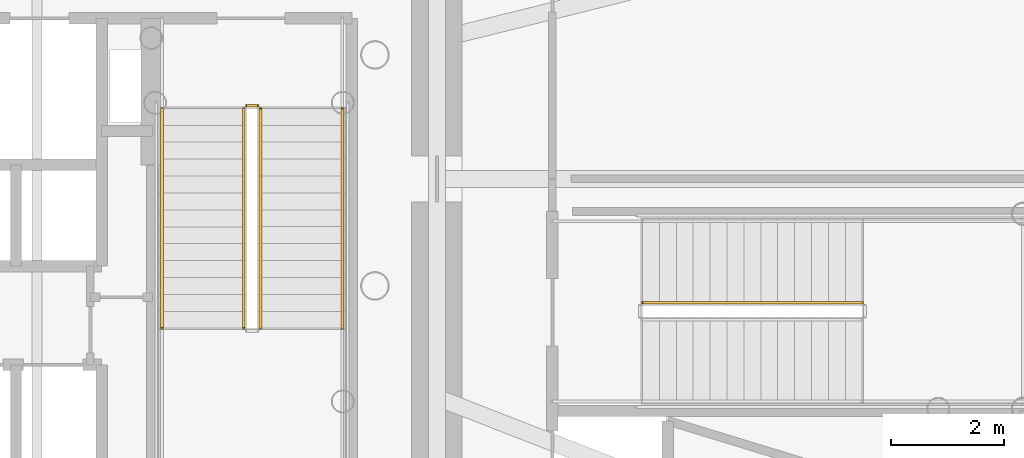
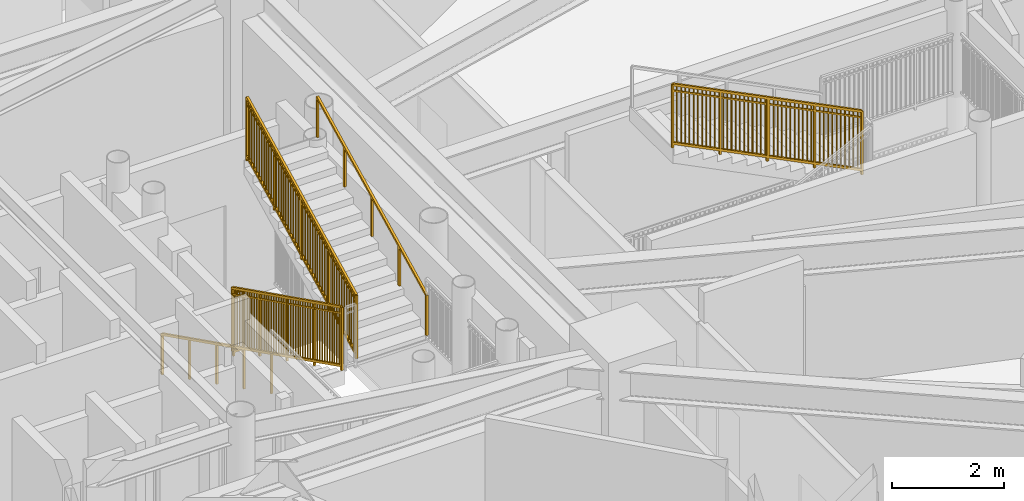
# One storey, part 26 of 29: 6 railings.
"""IFC4 building model written with IfcOpenShell, lengths in metres."""

from ifc_helpers import new_model, si_unit, direction, frame, origin, origin_2d, place, context, subcontext, project, spatial, rectangle, extrude, source, transform, mapped, material, type_object, element, save


model = new_model("IFC4")

# Units and contexts
model_context = context("Model", 3, precision=1e-05, world=origin(), true_north=direction((0.0, 1.0)))
body_context = subcontext(model_context, "Body", "Model", "MODEL_VIEW")
ifc_project = project(units=[si_unit("LENGTHUNIT", "METRE"), si_unit("AREAUNIT", "SQUARE_METRE"), si_unit("VOLUMEUNIT", "CUBIC_METRE"), si_unit("PLANEANGLEUNIT", "RADIAN"), si_unit("MASSUNIT", "GRAM", prefix="KILO")], contexts=[model_context])

# Site, building, storey
site_placement = place(None, origin())
site = spatial("IfcSite", under=ifc_project, at=site_placement, CompositionType="ELEMENT")
building_placement = place(site_placement, origin())
building = spatial("IfcBuilding", under=site, at=building_placement, Name="Linh Dai School and Residence Tower", CompositionType="ELEMENT")
storey_placement = place(building_placement, frame((0.0, 0.0, 45.0)))
storey = spatial("IfcBuildingStorey", under=building, at=storey_placement, Name="L10", CompositionType="ELEMENT", Elevation=45.0)

# Railings
ifc_material_1 = material(Name="Structural Steel S355JR", Category="steel")
railing_type_1 = type_object("IfcRailingType", Name="RL-ST-GUARD-1400", PredefinedType="GUARDRAIL", material=ifc_material_1)
shared_shape_1 = source(origin(), body_context, "Body", "SweptSolid", [
    extrude(rectangle(XDim=0.048095703125, YDim=0.048095703125, at=origin_2d()), frame((0.0, 0.0, 1.3759765625), z_axis=(1.0, 0.0, 0.0), x_axis=(0.0, 1.0, 0.0)), (0.0, 0.0, 1.0), 0.199951171875),
    extrude(rectangle(XDim=0.048095703125, YDim=0.048095703125, at=origin_2d()), frame((0.0, 0.0, 0.10009765625), z_axis=(1.0, 0.0, 0.0), x_axis=(0.0, 1.0, 0.0)), (0.0, 0.0, 1.0), 0.199951171875),
    extrude(rectangle(XDim=0.030029296875, YDim=0.030029296875, at=origin_2d()), frame((0.0, 0.0, 1.239990234375), z_axis=(1.0, 0.0, 0.0), x_axis=(0.0, 1.0, 0.0)), (0.0, 0.0, 1.0), 0.199951171875),
    extrude(rectangle(XDim=0.0419921875, YDim=0.0419921875, at=origin_2d()), origin(), (0.0, 0.0, 1.0), 1.3759765625),
    extrude(rectangle(XDim=0.0419921875, YDim=0.0419921875, at=origin_2d()), frame((0.199951171875, 0.0, 0.0)), (0.0, 0.0, 1.0), 1.3759765625),
])
railing_1_placement = place(storey_placement, frame((42.570068359375, 28.300048828125, 0.0)))
element("IfcRailing", 1, at=railing_1_placement, inside=storey, type_object=railing_type_1, Name="L10 ST2 stair guard 7", PredefinedType="GUARDRAIL", context=body_context, shape_type="MappedRepresentation", body=[
    mapped(shared_shape_1, transform((0.0, 0.0, 0.0), x_axis=(1.0, 0.0, 0.0), y_axis=(0.0, 1.0, 0.0), z_axis=(0.0, 0.0, 1.0), scale=1.0)),
])
shared_shape_2 = source(origin(), body_context, "Body", "SweptSolid", [
    extrude(rectangle(XDim=0.048095703125, YDim=0.048095703125, at=origin_2d()), frame((0.0, 0.0, 1.3759765625), z_axis=(0.0, -0.894404793364, 0.447258387967), x_axis=(1.0, 0.0, 0.0)), (0.0, 0.0, 1.0), 4.3603515625),
    extrude(rectangle(XDim=0.048095703125, YDim=0.048095703125, at=origin_2d()), frame((0.0, 0.0, 0.10009765625), z_axis=(0.0, -0.894404793364, 0.447258387967), x_axis=(1.0, 0.0, 0.0)), (0.0, 0.0, 1.0), 4.3603515625),
    extrude(rectangle(XDim=0.030029296875, YDim=0.030029296875, at=origin_2d()), frame((0.0, 0.0, 1.239990234375), z_axis=(0.0, -0.894404793364, 0.447258387967), x_axis=(1.0, 0.0, 0.0)), (0.0, 0.0, 1.0), 4.3603515625),
    extrude(rectangle(XDim=0.02001953125, YDim=0.02001953125, at=origin_2d()), frame((0.0, -0.086669921875, 0.1435546875)), (0.0, 0.0, 1.0), 1.251708984375),
    extrude(rectangle(XDim=0.02001953125, YDim=0.02001953125, at=origin_2d()), frame((0.0, -0.17333984375, 0.186767578125)), (0.0, 0.0, 1.0), 1.251708984375),
    extrude(rectangle(XDim=0.02001953125, YDim=0.02001953125, at=origin_2d()), frame((0.0, -0.260009765625, 0.230224609375)), (0.0, 0.0, 1.0), 1.251708984375),
    extrude(rectangle(XDim=0.02001953125, YDim=0.02001953125, at=origin_2d()), frame((0.0, -0.3466796875, 0.2734375)), (0.0, 0.0, 1.0), 1.251708984375),
    extrude(rectangle(XDim=0.02001953125, YDim=0.02001953125, at=origin_2d()), frame((0.0, -0.433349609375, 0.31689453125)), (0.0, 0.0, 1.0), 1.251708984375),
    extrude(rectangle(XDim=0.02001953125, YDim=0.02001953125, at=origin_2d()), frame((0.0, -0.52001953125, 0.360107421875)), (0.0, 0.0, 1.0), 1.251708984375),
    extrude(rectangle(XDim=0.02001953125, YDim=0.02001953125, at=origin_2d()), frame((0.0, -0.606689453125, 0.403564453125)), (0.0, 0.0, 1.0), 1.251708984375),
    extrude(rectangle(XDim=0.02001953125, YDim=0.02001953125, at=origin_2d()), frame((0.0, -0.693359375, 0.44677734375)), (0.0, 0.0, 1.0), 1.251708984375),
    extrude(rectangle(XDim=0.02001953125, YDim=0.02001953125, at=origin_2d()), frame((0.0, -0.780029296875, 0.490234375)), (0.0, 0.0, 1.0), 1.251708984375),
    extrude(rectangle(XDim=0.02001953125, YDim=0.02001953125, at=origin_2d()), frame((0.0, -0.86669921875, 0.533447265625)), (0.0, 0.0, 1.0), 1.251708984375),
    extrude(rectangle(XDim=0.02001953125, YDim=0.02001953125, at=origin_2d()), frame((0.0, -1.0400390625, 0.6201171875)), (0.0, 0.0, 1.0), 1.251708984375),
    extrude(rectangle(XDim=0.02001953125, YDim=0.02001953125, at=origin_2d()), frame((0.0, -1.126708984375, 0.66357421875)), (0.0, 0.0, 1.0), 1.251708984375),
    extrude(rectangle(XDim=0.02001953125, YDim=0.02001953125, at=origin_2d()), frame((0.0, -1.21337890625, 0.706787109375)), (0.0, 0.0, 1.0), 1.251708984375),
    extrude(rectangle(XDim=0.02001953125, YDim=0.02001953125, at=origin_2d()), frame((0.0, -1.300048828125, 0.750244140625)), (0.0, 0.0, 1.0), 1.251708984375),
    extrude(rectangle(XDim=0.02001953125, YDim=0.02001953125, at=origin_2d()), frame((0.0, -1.38671875, 0.79345703125)), (0.0, 0.0, 1.0), 1.251708984375),
    extrude(rectangle(XDim=0.02001953125, YDim=0.02001953125, at=origin_2d()), frame((0.0, -1.473388671875, 0.8369140625)), (0.0, 0.0, 1.0), 1.251708984375),
    extrude(rectangle(XDim=0.02001953125, YDim=0.02001953125, at=origin_2d()), frame((0.0, -1.56005859375, 0.880126953125)), (0.0, 0.0, 1.0), 1.251708984375),
    extrude(rectangle(XDim=0.02001953125, YDim=0.02001953125, at=origin_2d()), frame((0.0, -1.646728515625, 0.923583984375)), (0.0, 0.0, 1.0), 1.251708984375),
    extrude(rectangle(XDim=0.02001953125, YDim=0.02001953125, at=origin_2d()), frame((0.0, -1.7333984375, 0.966796875)), (0.0, 0.0, 1.0), 1.251708984375),
    extrude(rectangle(XDim=0.02001953125, YDim=0.02001953125, at=origin_2d()), frame((0.0, -1.820068359375, 1.01025390625)), (0.0, 0.0, 1.0), 1.251708984375),
    extrude(rectangle(XDim=0.02001953125, YDim=0.02001953125, at=origin_2d()), frame((0.0, -1.90673828125, 1.053466796875)), (0.0, 0.0, 1.0), 1.251708984375),
    extrude(rectangle(XDim=0.02001953125, YDim=0.02001953125, at=origin_2d()), frame((0.0, -1.9931640625, 1.096923828125)), (0.0, 0.0, 1.0), 1.251708984375),
    extrude(rectangle(XDim=0.02001953125, YDim=0.02001953125, at=origin_2d()), frame((0.0, -2.079833984375, 1.14013671875)), (0.0, 0.0, 1.0), 1.251708984375),
    extrude(rectangle(XDim=0.02001953125, YDim=0.02001953125, at=origin_2d()), frame((0.0, -2.16650390625, 1.18359375)), (0.0, 0.0, 1.0), 1.251708984375),
    extrude(rectangle(XDim=0.02001953125, YDim=0.02001953125, at=origin_2d()), frame((0.0, -2.253173828125, 1.226806640625)), (0.0, 0.0, 1.0), 1.251708984375),
    extrude(rectangle(XDim=0.02001953125, YDim=0.02001953125, at=origin_2d()), frame((0.0, -2.33984375, 1.270263671875)), (0.0, 0.0, 1.0), 1.251708984375),
    extrude(rectangle(XDim=0.02001953125, YDim=0.02001953125, at=origin_2d()), frame((0.0, -2.426513671875, 1.3134765625)), (0.0, 0.0, 1.0), 1.251708984375),
    extrude(rectangle(XDim=0.02001953125, YDim=0.02001953125, at=origin_2d()), frame((0.0, -2.51318359375, 1.35693359375)), (0.0, 0.0, 1.0), 1.251708984375),
    extrude(rectangle(XDim=0.02001953125, YDim=0.02001953125, at=origin_2d()), frame((0.0, -2.599853515625, 1.400146484375)), (0.0, 0.0, 1.0), 1.251708984375),
    extrude(rectangle(XDim=0.02001953125, YDim=0.02001953125, at=origin_2d()), frame((0.0, -2.6865234375, 1.443603515625)), (0.0, 0.0, 1.0), 1.251708984375),
    extrude(rectangle(XDim=0.02001953125, YDim=0.02001953125, at=origin_2d()), frame((0.0, -2.773193359375, 1.48681640625)), (0.0, 0.0, 1.0), 1.251708984375),
    extrude(rectangle(XDim=0.02001953125, YDim=0.02001953125, at=origin_2d()), frame((0.0, -2.85986328125, 1.5302734375)), (0.0, 0.0, 1.0), 1.251708984375),
    extrude(rectangle(XDim=0.02001953125, YDim=0.02001953125, at=origin_2d()), frame((0.0, -3.033203125, 1.616943359375)), (0.0, 0.0, 1.0), 1.251708984375),
    extrude(rectangle(XDim=0.02001953125, YDim=0.02001953125, at=origin_2d()), frame((0.0, -3.119873046875, 1.66015625)), (0.0, 0.0, 1.0), 1.251708984375),
    extrude(rectangle(XDim=0.02001953125, YDim=0.02001953125, at=origin_2d()), frame((0.0, -3.20654296875, 1.70361328125)), (0.0, 0.0, 1.0), 1.251708984375),
    extrude(rectangle(XDim=0.02001953125, YDim=0.02001953125, at=origin_2d()), frame((0.0, -3.293212890625, 1.746826171875)), (0.0, 0.0, 1.0), 1.251708984375),
    extrude(rectangle(XDim=0.02001953125, YDim=0.02001953125, at=origin_2d()), frame((0.0, -3.3798828125, 1.790283203125)), (0.0, 0.0, 1.0), 1.251708984375),
    extrude(rectangle(XDim=0.02001953125, YDim=0.02001953125, at=origin_2d()), frame((0.0, -3.466552734375, 1.83349609375)), (0.0, 0.0, 1.0), 1.251708984375),
    extrude(rectangle(XDim=0.02001953125, YDim=0.02001953125, at=origin_2d()), frame((0.0, -3.55322265625, 1.876953125)), (0.0, 0.0, 1.0), 1.251708984375),
    extrude(rectangle(XDim=0.02001953125, YDim=0.02001953125, at=origin_2d()), frame((0.0, -3.639892578125, 1.920166015625)), (0.0, 0.0, 1.0), 1.251708984375),
    extrude(rectangle(XDim=0.02001953125, YDim=0.02001953125, at=origin_2d()), frame((0.0, -3.7265625, 1.963623046875)), (0.0, 0.0, 1.0), 1.251708984375),
    extrude(rectangle(XDim=0.02001953125, YDim=0.02001953125, at=origin_2d()), frame((0.0, -3.813232421875, 2.0068359375)), (0.0, 0.0, 1.0), 1.251708984375),
    extrude(rectangle(XDim=0.0419921875, YDim=0.0419921875, at=origin_2d()), origin(), (0.0, 0.0, 1.0), 1.3759765625),
    extrude(rectangle(XDim=0.0419921875, YDim=0.0419921875, at=origin_2d()), frame((0.0, -0.97509765625, 0.487548828125)), (0.0, 0.0, 1.0), 1.3759765625),
    extrude(rectangle(XDim=0.0419921875, YDim=0.0419921875, at=origin_2d()), frame((0.0, -1.949951171875, 0.97509765625)), (0.0, 0.0, 1.0), 1.3759765625),
    extrude(rectangle(XDim=0.0419921875, YDim=0.0419921875, at=origin_2d()), frame((0.0, -2.9248046875, 1.462646484375)), (0.0, 0.0, 1.0), 1.3759765625),
    extrude(rectangle(XDim=0.0419921875, YDim=0.0419921875, at=origin_2d()), frame((0.0, -3.89990234375, 1.9501953125)), (0.0, 0.0, 1.0), 1.3759765625),
])
railing_2_placement = place(storey_placement, frame((42.52001953125, 28.25, 0.14990234375)))
element("IfcRailing", 2, at=railing_2_placement, inside=storey, type_object=railing_type_1, Name="L10 ST2 stair guard 1", PredefinedType="GUARDRAIL", context=body_context, shape_type="MappedRepresentation", body=[
    mapped(shared_shape_2, transform((0.0, 0.0, 0.0), x_axis=(1.0, 0.0, 0.0), y_axis=(0.0, 1.0, 0.0), z_axis=(0.0, 0.0, 1.0), scale=1.0)),
])
shared_shape_3 = source(origin(), body_context, "Body", "SweptSolid", [
    extrude(rectangle(XDim=0.048095703125, YDim=0.048095703125, at=origin_2d()), frame((0.0, 0.0, 1.3759765625), z_axis=(0.0, 0.894427191, 0.4472135955), x_axis=(-1.0, 0.0, 0.0)), (0.0, 0.0, 1.0), 4.360107421875),
    extrude(rectangle(XDim=0.048095703125, YDim=0.048095703125, at=origin_2d()), frame((0.0, 0.0, 0.10009765625), z_axis=(0.0, 0.894427191, 0.4472135955), x_axis=(-1.0, 0.0, 0.0)), (0.0, 0.0, 1.0), 4.360107421875),
    extrude(rectangle(XDim=0.030029296875, YDim=0.030029296875, at=origin_2d()), frame((0.0, 0.0, 1.239990234375), z_axis=(0.0, 0.894427191, 0.4472135955), x_axis=(-1.0, 0.0, 0.0)), (0.0, 0.0, 1.0), 4.360107421875),
    extrude(rectangle(XDim=0.02001953125, YDim=0.02001953125, at=origin_2d()), frame((0.0, 0.086669921875, 0.143310546875)), (0.0, 0.0, 1.0), 1.251708984375),
    extrude(rectangle(XDim=0.02001953125, YDim=0.02001953125, at=origin_2d()), frame((0.0, 0.17333984375, 0.186767578125)), (0.0, 0.0, 1.0), 1.251708984375),
    extrude(rectangle(XDim=0.02001953125, YDim=0.02001953125, at=origin_2d()), frame((0.0, 0.260009765625, 0.22998046875)), (0.0, 0.0, 1.0), 1.251708984375),
    extrude(rectangle(XDim=0.02001953125, YDim=0.02001953125, at=origin_2d()), frame((0.0, 0.3466796875, 0.2734375)), (0.0, 0.0, 1.0), 1.251708984375),
    extrude(rectangle(XDim=0.02001953125, YDim=0.02001953125, at=origin_2d()), frame((0.0, 0.433349609375, 0.316650390625)), (0.0, 0.0, 1.0), 1.251708984375),
    extrude(rectangle(XDim=0.02001953125, YDim=0.02001953125, at=origin_2d()), frame((0.0, 0.52001953125, 0.360107421875)), (0.0, 0.0, 1.0), 1.251708984375),
    extrude(rectangle(XDim=0.02001953125, YDim=0.02001953125, at=origin_2d()), frame((0.0, 0.606689453125, 0.4033203125)), (0.0, 0.0, 1.0), 1.251708984375),
    extrude(rectangle(XDim=0.02001953125, YDim=0.02001953125, at=origin_2d()), frame((0.0, 0.693359375, 0.44677734375)), (0.0, 0.0, 1.0), 1.251708984375),
    extrude(rectangle(XDim=0.02001953125, YDim=0.02001953125, at=origin_2d()), frame((0.0, 0.780029296875, 0.489990234375)), (0.0, 0.0, 1.0), 1.251708984375),
    extrude(rectangle(XDim=0.02001953125, YDim=0.02001953125, at=origin_2d()), frame((0.0, 0.86669921875, 0.533447265625)), (0.0, 0.0, 1.0), 1.251708984375),
    extrude(rectangle(XDim=0.02001953125, YDim=0.02001953125, at=origin_2d()), frame((0.0, 1.0400390625, 0.6201171875)), (0.0, 0.0, 1.0), 1.251708984375),
    extrude(rectangle(XDim=0.02001953125, YDim=0.02001953125, at=origin_2d()), frame((0.0, 1.126708984375, 0.663330078125)), (0.0, 0.0, 1.0), 1.251708984375),
    extrude(rectangle(XDim=0.02001953125, YDim=0.02001953125, at=origin_2d()), frame((0.0, 1.21337890625, 0.706787109375)), (0.0, 0.0, 1.0), 1.251708984375),
    extrude(rectangle(XDim=0.02001953125, YDim=0.02001953125, at=origin_2d()), frame((0.0, 1.300048828125, 0.75)), (0.0, 0.0, 1.0), 1.251708984375),
    extrude(rectangle(XDim=0.02001953125, YDim=0.02001953125, at=origin_2d()), frame((0.0, 1.38671875, 0.79345703125)), (0.0, 0.0, 1.0), 1.251708984375),
    extrude(rectangle(XDim=0.02001953125, YDim=0.02001953125, at=origin_2d()), frame((0.0, 1.473388671875, 0.836669921875)), (0.0, 0.0, 1.0), 1.251708984375),
    extrude(rectangle(XDim=0.02001953125, YDim=0.02001953125, at=origin_2d()), frame((0.0, 1.56005859375, 0.880126953125)), (0.0, 0.0, 1.0), 1.251708984375),
    extrude(rectangle(XDim=0.02001953125, YDim=0.02001953125, at=origin_2d()), frame((0.0, 1.646728515625, 0.92333984375)), (0.0, 0.0, 1.0), 1.251708984375),
    extrude(rectangle(XDim=0.02001953125, YDim=0.02001953125, at=origin_2d()), frame((0.0, 1.7333984375, 0.966796875)), (0.0, 0.0, 1.0), 1.251708984375),
    extrude(rectangle(XDim=0.02001953125, YDim=0.02001953125, at=origin_2d()), frame((0.0, 1.820068359375, 1.010009765625)), (0.0, 0.0, 1.0), 1.251708984375),
    extrude(rectangle(XDim=0.02001953125, YDim=0.02001953125, at=origin_2d()), frame((0.0, 1.90673828125, 1.053466796875)), (0.0, 0.0, 1.0), 1.251708984375),
    extrude(rectangle(XDim=0.02001953125, YDim=0.02001953125, at=origin_2d()), frame((0.0, 1.9931640625, 1.0966796875)), (0.0, 0.0, 1.0), 1.251708984375),
    extrude(rectangle(XDim=0.02001953125, YDim=0.02001953125, at=origin_2d()), frame((0.0, 2.079833984375, 1.14013671875)), (0.0, 0.0, 1.0), 1.251708984375),
    extrude(rectangle(XDim=0.02001953125, YDim=0.02001953125, at=origin_2d()), frame((0.0, 2.16650390625, 1.183349609375)), (0.0, 0.0, 1.0), 1.251708984375),
    extrude(rectangle(XDim=0.02001953125, YDim=0.02001953125, at=origin_2d()), frame((0.0, 2.253173828125, 1.226806640625)), (0.0, 0.0, 1.0), 1.251708984375),
    extrude(rectangle(XDim=0.02001953125, YDim=0.02001953125, at=origin_2d()), frame((0.0, 2.33984375, 1.27001953125)), (0.0, 0.0, 1.0), 1.251708984375),
    extrude(rectangle(XDim=0.02001953125, YDim=0.02001953125, at=origin_2d()), frame((0.0, 2.426513671875, 1.3134765625)), (0.0, 0.0, 1.0), 1.251708984375),
    extrude(rectangle(XDim=0.02001953125, YDim=0.02001953125, at=origin_2d()), frame((0.0, 2.51318359375, 1.356689453125)), (0.0, 0.0, 1.0), 1.251708984375),
    extrude(rectangle(XDim=0.02001953125, YDim=0.02001953125, at=origin_2d()), frame((0.0, 2.599853515625, 1.400146484375)), (0.0, 0.0, 1.0), 1.251708984375),
    extrude(rectangle(XDim=0.02001953125, YDim=0.02001953125, at=origin_2d()), frame((0.0, 2.6865234375, 1.443359375)), (0.0, 0.0, 1.0), 1.251708984375),
    extrude(rectangle(XDim=0.02001953125, YDim=0.02001953125, at=origin_2d()), frame((0.0, 2.773193359375, 1.48681640625)), (0.0, 0.0, 1.0), 1.251708984375),
    extrude(rectangle(XDim=0.02001953125, YDim=0.02001953125, at=origin_2d()), frame((0.0, 2.85986328125, 1.530029296875)), (0.0, 0.0, 1.0), 1.251708984375),
    extrude(rectangle(XDim=0.02001953125, YDim=0.02001953125, at=origin_2d()), frame((0.0, 3.033203125, 1.61669921875)), (0.0, 0.0, 1.0), 1.251708984375),
    extrude(rectangle(XDim=0.02001953125, YDim=0.02001953125, at=origin_2d()), frame((0.0, 3.119873046875, 1.66015625)), (0.0, 0.0, 1.0), 1.251708984375),
    extrude(rectangle(XDim=0.02001953125, YDim=0.02001953125, at=origin_2d()), frame((0.0, 3.20654296875, 1.703369140625)), (0.0, 0.0, 1.0), 1.251708984375),
    extrude(rectangle(XDim=0.02001953125, YDim=0.02001953125, at=origin_2d()), frame((0.0, 3.293212890625, 1.746826171875)), (0.0, 0.0, 1.0), 1.251708984375),
    extrude(rectangle(XDim=0.02001953125, YDim=0.02001953125, at=origin_2d()), frame((0.0, 3.3798828125, 1.7900390625)), (0.0, 0.0, 1.0), 1.251708984375),
    extrude(rectangle(XDim=0.02001953125, YDim=0.02001953125, at=origin_2d()), frame((0.0, 3.466552734375, 1.83349609375)), (0.0, 0.0, 1.0), 1.251708984375),
    extrude(rectangle(XDim=0.02001953125, YDim=0.02001953125, at=origin_2d()), frame((0.0, 3.55322265625, 1.876708984375)), (0.0, 0.0, 1.0), 1.251708984375),
    extrude(rectangle(XDim=0.02001953125, YDim=0.02001953125, at=origin_2d()), frame((0.0, 3.639892578125, 1.920166015625)), (0.0, 0.0, 1.0), 1.251708984375),
    extrude(rectangle(XDim=0.02001953125, YDim=0.02001953125, at=origin_2d()), frame((0.0, 3.7265625, 1.96337890625)), (0.0, 0.0, 1.0), 1.251708984375),
    extrude(rectangle(XDim=0.02001953125, YDim=0.02001953125, at=origin_2d()), frame((0.0, 3.813232421875, 2.0068359375)), (0.0, 0.0, 1.0), 1.251708984375),
    extrude(rectangle(XDim=0.0419921875, YDim=0.0419921875, at=origin_2d()), origin(), (0.0, 0.0, 1.0), 1.3759765625),
    extrude(rectangle(XDim=0.0419921875, YDim=0.0419921875, at=origin_2d()), frame((0.0, 0.97509765625, 0.487548828125)), (0.0, 0.0, 1.0), 1.3759765625),
    extrude(rectangle(XDim=0.0419921875, YDim=0.0419921875, at=origin_2d()), frame((0.0, 1.949951171875, 0.97509765625)), (0.0, 0.0, 1.0), 1.3759765625),
    extrude(rectangle(XDim=0.0419921875, YDim=0.0419921875, at=origin_2d()), frame((0.0, 2.9248046875, 1.46240234375)), (0.0, 0.0, 1.0), 1.3759765625),
    extrude(rectangle(XDim=0.0419921875, YDim=0.0419921875, at=origin_2d()), frame((0.0, 3.89990234375, 1.949951171875)), (0.0, 0.0, 1.0), 1.3759765625),
])
railing_3_placement = place(storey_placement, frame((42.820068359375, 24.35009765625, 2.25)))
element("IfcRailing", 3, at=railing_3_placement, inside=storey, type_object=railing_type_1, Name="L10 ST2 stair guard 6", PredefinedType="GUARDRAIL", context=body_context, shape_type="MappedRepresentation", body=[
    mapped(shared_shape_3, transform((0.0, 0.0, 0.0), x_axis=(1.0, 0.0, 0.0), y_axis=(0.0, 1.0, 0.0), z_axis=(0.0, 0.0, 1.0), scale=1.0)),
])
ifc_material_2 = material(Name="Brushed Stainless Steel Handrail", Category="steel")
railing_type_2 = type_object("IfcRailingType", Name="RL-ST-HANDRAIL-900", PredefinedType="HANDRAIL", material=ifc_material_2)
shared_shape_4 = source(origin(), body_context, "Body", "SweptSolid", [
    extrude(rectangle(XDim=0.048095703125, YDim=0.048095703125, at=origin_2d()), frame((0.0, 0.0, 0.8759765625), z_axis=(0.0, -0.894404793364, 0.447258387967), x_axis=(1.0, 0.0, 0.0)), (0.0, 0.0, 1.0), 4.3603515625),
    extrude(rectangle(XDim=0.0419921875, YDim=0.0419921875, at=origin_2d()), origin(), (0.0, 0.0, 1.0), 0.8759765625),
    extrude(rectangle(XDim=0.0419921875, YDim=0.0419921875, at=origin_2d()), frame((0.0, -0.97509765625, 0.487548828125)), (0.0, 0.0, 1.0), 0.8759765625),
    extrude(rectangle(XDim=0.0419921875, YDim=0.0419921875, at=origin_2d()), frame((0.0, -1.949951171875, 0.97509765625)), (0.0, 0.0, 1.0), 0.8759765625),
    extrude(rectangle(XDim=0.0419921875, YDim=0.0419921875, at=origin_2d()), frame((0.0, -2.9248046875, 1.462646484375)), (0.0, 0.0, 1.0), 0.8759765625),
    extrude(rectangle(XDim=0.0419921875, YDim=0.0419921875, at=origin_2d()), frame((0.0, -3.89990234375, 1.9501953125)), (0.0, 0.0, 1.0), 0.8759765625),
])
railing_4_placement = place(storey_placement, frame((41.070068359375, 28.25, 0.14990234375)))
element("IfcRailing", 4, at=railing_4_placement, inside=storey, type_object=railing_type_2, Name="L10 ST2 stair handrail 1", PredefinedType="HANDRAIL", context=body_context, shape_type="MappedRepresentation", body=[
    mapped(shared_shape_4, transform((0.0, 0.0, 0.0), x_axis=(1.0, 0.0, 0.0), y_axis=(0.0, 1.0, 0.0), z_axis=(0.0, 0.0, 1.0), scale=1.0)),
])
shared_shape_5 = source(origin(), body_context, "Body", "SweptSolid", [
    extrude(rectangle(XDim=0.048095703125, YDim=0.048095703125, at=origin_2d()), frame((0.0, 0.0, 0.8759765625), z_axis=(0.0, 0.894427191, 0.4472135955), x_axis=(-1.0, 0.0, 0.0)), (0.0, 0.0, 1.0), 4.360107421875),
    extrude(rectangle(XDim=0.0419921875, YDim=0.0419921875, at=origin_2d()), origin(), (0.0, 0.0, 1.0), 0.8759765625),
    extrude(rectangle(XDim=0.0419921875, YDim=0.0419921875, at=origin_2d()), frame((0.0, 0.97509765625, 0.487548828125)), (0.0, 0.0, 1.0), 0.8759765625),
    extrude(rectangle(XDim=0.0419921875, YDim=0.0419921875, at=origin_2d()), frame((0.0, 1.949951171875, 0.97509765625)), (0.0, 0.0, 1.0), 0.8759765625),
    extrude(rectangle(XDim=0.0419921875, YDim=0.0419921875, at=origin_2d()), frame((0.0, 2.9248046875, 1.46240234375)), (0.0, 0.0, 1.0), 0.8759765625),
    extrude(rectangle(XDim=0.0419921875, YDim=0.0419921875, at=origin_2d()), frame((0.0, 3.89990234375, 1.949951171875)), (0.0, 0.0, 1.0), 0.8759765625),
])
railing_5_placement = place(storey_placement, frame((44.27001953125, 24.35009765625, 2.25)))
element("IfcRailing", 5, at=railing_5_placement, inside=storey, type_object=railing_type_2, Name="L10 ST2 stair handrail 2", PredefinedType="HANDRAIL", context=body_context, shape_type="MappedRepresentation", body=[
    mapped(shared_shape_5, transform((0.0, 0.0, 0.0), x_axis=(1.0, 0.0, 0.0), y_axis=(0.0, 1.0, 0.0), z_axis=(0.0, 0.0, 1.0), scale=1.0)),
])
shared_shape_6 = source(origin(), body_context, "Body", "SweptSolid", [
    extrude(rectangle(XDim=0.048095703125, YDim=0.048095703125, at=origin_2d()), frame((0.0, 0.0, 1.3759765625), z_axis=(-0.894427191, 0.0, 0.4472135955), x_axis=(0.0, -1.0, 0.0)), (0.0, 0.0, 1.0), 4.360107421875),
    extrude(rectangle(XDim=0.048095703125, YDim=0.048095703125, at=origin_2d()), frame((0.0, 0.0, 0.10009765625), z_axis=(-0.894427191, 0.0, 0.4472135955), x_axis=(0.0, -1.0, 0.0)), (0.0, 0.0, 1.0), 4.360107421875),
    extrude(rectangle(XDim=0.030029296875, YDim=0.030029296875, at=origin_2d()), frame((0.0, 0.0, 1.239990234375), z_axis=(-0.894427191, 0.0, 0.4472135955), x_axis=(0.0, -1.0, 0.0)), (0.0, 0.0, 1.0), 4.360107421875),
    extrude(rectangle(XDim=0.02001953125, YDim=0.02001953125, at=origin_2d()), frame((-0.086669921875, 0.0, 0.143310546875)), (0.0, 0.0, 1.0), 1.251708984375),
    extrude(rectangle(XDim=0.02001953125, YDim=0.02001953125, at=origin_2d()), frame((-0.17333984375, 0.0, 0.186767578125)), (0.0, 0.0, 1.0), 1.251708984375),
    extrude(rectangle(XDim=0.02001953125, YDim=0.02001953125, at=origin_2d()), frame((-0.260009765625, 0.0, 0.22998046875)), (0.0, 0.0, 1.0), 1.251708984375),
    extrude(rectangle(XDim=0.02001953125, YDim=0.02001953125, at=origin_2d()), frame((-0.3466796875, 0.0, 0.2734375)), (0.0, 0.0, 1.0), 1.251708984375),
    extrude(rectangle(XDim=0.02001953125, YDim=0.02001953125, at=origin_2d()), frame((-0.433349609375, 0.0, 0.316650390625)), (0.0, 0.0, 1.0), 1.251708984375),
    extrude(rectangle(XDim=0.02001953125, YDim=0.02001953125, at=origin_2d()), frame((-0.52001953125, 0.0, 0.360107421875)), (0.0, 0.0, 1.0), 1.251708984375),
    extrude(rectangle(XDim=0.02001953125, YDim=0.02001953125, at=origin_2d()), frame((-0.606689453125, 0.0, 0.4033203125)), (0.0, 0.0, 1.0), 1.251708984375),
    extrude(rectangle(XDim=0.02001953125, YDim=0.02001953125, at=origin_2d()), frame((-0.693359375, 0.0, 0.44677734375)), (0.0, 0.0, 1.0), 1.251708984375),
    extrude(rectangle(XDim=0.02001953125, YDim=0.02001953125, at=origin_2d()), frame((-0.780029296875, 0.0, 0.489990234375)), (0.0, 0.0, 1.0), 1.251708984375),
    extrude(rectangle(XDim=0.02001953125, YDim=0.02001953125, at=origin_2d()), frame((-0.86669921875, 0.0, 0.533447265625)), (0.0, 0.0, 1.0), 1.251708984375),
    extrude(rectangle(XDim=0.02001953125, YDim=0.02001953125, at=origin_2d()), frame((-1.0400390625, 0.0, 0.6201171875)), (0.0, 0.0, 1.0), 1.251708984375),
    extrude(rectangle(XDim=0.02001953125, YDim=0.02001953125, at=origin_2d()), frame((-1.126708984375, 0.0, 0.663330078125)), (0.0, 0.0, 1.0), 1.251708984375),
    extrude(rectangle(XDim=0.02001953125, YDim=0.02001953125, at=origin_2d()), frame((-1.21337890625, 0.0, 0.706787109375)), (0.0, 0.0, 1.0), 1.251708984375),
    extrude(rectangle(XDim=0.02001953125, YDim=0.02001953125, at=origin_2d()), frame((-1.300048828125, 0.0, 0.75)), (0.0, 0.0, 1.0), 1.251708984375),
    extrude(rectangle(XDim=0.02001953125, YDim=0.02001953125, at=origin_2d()), frame((-1.38671875, 0.0, 0.79345703125)), (0.0, 0.0, 1.0), 1.251708984375),
    extrude(rectangle(XDim=0.02001953125, YDim=0.02001953125, at=origin_2d()), frame((-1.473388671875, 0.0, 0.836669921875)), (0.0, 0.0, 1.0), 1.251708984375),
    extrude(rectangle(XDim=0.02001953125, YDim=0.02001953125, at=origin_2d()), frame((-1.56005859375, 0.0, 0.880126953125)), (0.0, 0.0, 1.0), 1.251708984375),
    extrude(rectangle(XDim=0.02001953125, YDim=0.02001953125, at=origin_2d()), frame((-1.646728515625, 0.0, 0.92333984375)), (0.0, 0.0, 1.0), 1.251708984375),
    extrude(rectangle(XDim=0.02001953125, YDim=0.02001953125, at=origin_2d()), frame((-1.7333984375, 0.0, 0.966796875)), (0.0, 0.0, 1.0), 1.251708984375),
    extrude(rectangle(XDim=0.02001953125, YDim=0.02001953125, at=origin_2d()), frame((-1.820068359375, 0.0, 1.010009765625)), (0.0, 0.0, 1.0), 1.251708984375),
    extrude(rectangle(XDim=0.02001953125, YDim=0.02001953125, at=origin_2d()), frame((-1.90673828125, 0.0, 1.053466796875)), (0.0, 0.0, 1.0), 1.251708984375),
    extrude(rectangle(XDim=0.02001953125, YDim=0.02001953125, at=origin_2d()), frame((-1.9931640625, 0.0, 1.0966796875)), (0.0, 0.0, 1.0), 1.251708984375),
    extrude(rectangle(XDim=0.02001953125, YDim=0.02001953125, at=origin_2d()), frame((-2.079833984375, 0.0, 1.14013671875)), (0.0, 0.0, 1.0), 1.251708984375),
    extrude(rectangle(XDim=0.02001953125, YDim=0.02001953125, at=origin_2d()), frame((-2.16650390625, 0.0, 1.183349609375)), (0.0, 0.0, 1.0), 1.251708984375),
    extrude(rectangle(XDim=0.02001953125, YDim=0.02001953125, at=origin_2d()), frame((-2.253173828125, 0.0, 1.226806640625)), (0.0, 0.0, 1.0), 1.251708984375),
    extrude(rectangle(XDim=0.02001953125, YDim=0.02001953125, at=origin_2d()), frame((-2.33984375, 0.0, 1.27001953125)), (0.0, 0.0, 1.0), 1.251708984375),
    extrude(rectangle(XDim=0.02001953125, YDim=0.02001953125, at=origin_2d()), frame((-2.426513671875, 0.0, 1.3134765625)), (0.0, 0.0, 1.0), 1.251708984375),
    extrude(rectangle(XDim=0.02001953125, YDim=0.02001953125, at=origin_2d()), frame((-2.51318359375, 0.0, 1.356689453125)), (0.0, 0.0, 1.0), 1.251708984375),
    extrude(rectangle(XDim=0.02001953125, YDim=0.02001953125, at=origin_2d()), frame((-2.599853515625, 0.0, 1.400146484375)), (0.0, 0.0, 1.0), 1.251708984375),
    extrude(rectangle(XDim=0.02001953125, YDim=0.02001953125, at=origin_2d()), frame((-2.6865234375, 0.0, 1.443359375)), (0.0, 0.0, 1.0), 1.251708984375),
    extrude(rectangle(XDim=0.02001953125, YDim=0.02001953125, at=origin_2d()), frame((-2.773193359375, 0.0, 1.48681640625)), (0.0, 0.0, 1.0), 1.251708984375),
    extrude(rectangle(XDim=0.02001953125, YDim=0.02001953125, at=origin_2d()), frame((-2.85986328125, 0.0, 1.530029296875)), (0.0, 0.0, 1.0), 1.251708984375),
    extrude(rectangle(XDim=0.02001953125, YDim=0.02001953125, at=origin_2d()), frame((-3.033203125, 0.0, 1.61669921875)), (0.0, 0.0, 1.0), 1.251708984375),
    extrude(rectangle(XDim=0.02001953125, YDim=0.02001953125, at=origin_2d()), frame((-3.119873046875, 0.0, 1.66015625)), (0.0, 0.0, 1.0), 1.251708984375),
    extrude(rectangle(XDim=0.02001953125, YDim=0.02001953125, at=origin_2d()), frame((-3.20654296875, 0.0, 1.703369140625)), (0.0, 0.0, 1.0), 1.251708984375),
    extrude(rectangle(XDim=0.02001953125, YDim=0.02001953125, at=origin_2d()), frame((-3.293212890625, 0.0, 1.746826171875)), (0.0, 0.0, 1.0), 1.251708984375),
    extrude(rectangle(XDim=0.02001953125, YDim=0.02001953125, at=origin_2d()), frame((-3.3798828125, 0.0, 1.7900390625)), (0.0, 0.0, 1.0), 1.251708984375),
    extrude(rectangle(XDim=0.02001953125, YDim=0.02001953125, at=origin_2d()), frame((-3.466552734375, 0.0, 1.83349609375)), (0.0, 0.0, 1.0), 1.251708984375),
    extrude(rectangle(XDim=0.02001953125, YDim=0.02001953125, at=origin_2d()), frame((-3.55322265625, 0.0, 1.876708984375)), (0.0, 0.0, 1.0), 1.251708984375),
    extrude(rectangle(XDim=0.02001953125, YDim=0.02001953125, at=origin_2d()), frame((-3.639892578125, 0.0, 1.920166015625)), (0.0, 0.0, 1.0), 1.251708984375),
    extrude(rectangle(XDim=0.02001953125, YDim=0.02001953125, at=origin_2d()), frame((-3.7265625, 0.0, 1.96337890625)), (0.0, 0.0, 1.0), 1.251708984375),
    extrude(rectangle(XDim=0.02001953125, YDim=0.02001953125, at=origin_2d()), frame((-3.813232421875, 0.0, 2.0068359375)), (0.0, 0.0, 1.0), 1.251708984375),
    extrude(rectangle(XDim=0.0419921875, YDim=0.0419921875, at=origin_2d()), origin(), (0.0, 0.0, 1.0), 1.3759765625),
    extrude(rectangle(XDim=0.0419921875, YDim=0.0419921875, at=origin_2d()), frame((-0.97509765625, 0.0, 0.487548828125)), (0.0, 0.0, 1.0), 1.3759765625),
    extrude(rectangle(XDim=0.0419921875, YDim=0.0419921875, at=origin_2d()), frame((-1.949951171875, 0.0, 0.97509765625)), (0.0, 0.0, 1.0), 1.3759765625),
    extrude(rectangle(XDim=0.0419921875, YDim=0.0419921875, at=origin_2d()), frame((-2.9248046875, 0.0, 1.46240234375)), (0.0, 0.0, 1.0), 1.3759765625),
    extrude(rectangle(XDim=0.0419921875, YDim=0.0419921875, at=origin_2d()), frame((-3.89990234375, 0.0, 1.949951171875)), (0.0, 0.0, 1.0), 1.3759765625),
])
railing_6_placement = place(storey_placement, frame((53.5, 24.800048828125, 2.25)))
element("IfcRailing", 6, at=railing_6_placement, inside=storey, type_object=railing_type_1, Name="L10 STS2 stair guard 6", PredefinedType="GUARDRAIL", context=body_context, shape_type="MappedRepresentation", body=[
    mapped(shared_shape_6, transform((0.0, 0.0, 0.0), x_axis=(1.0, 0.0, 0.0), y_axis=(0.0, 1.0, 0.0), z_axis=(0.0, 0.0, 1.0), scale=1.0)),
])

save(model, "model.ifc")
